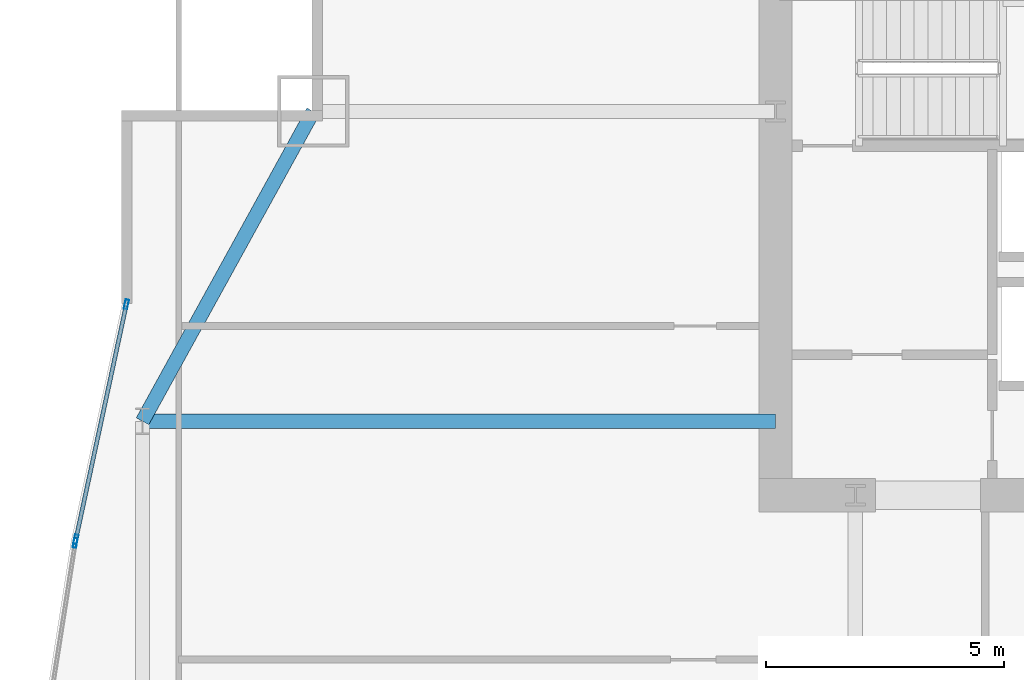
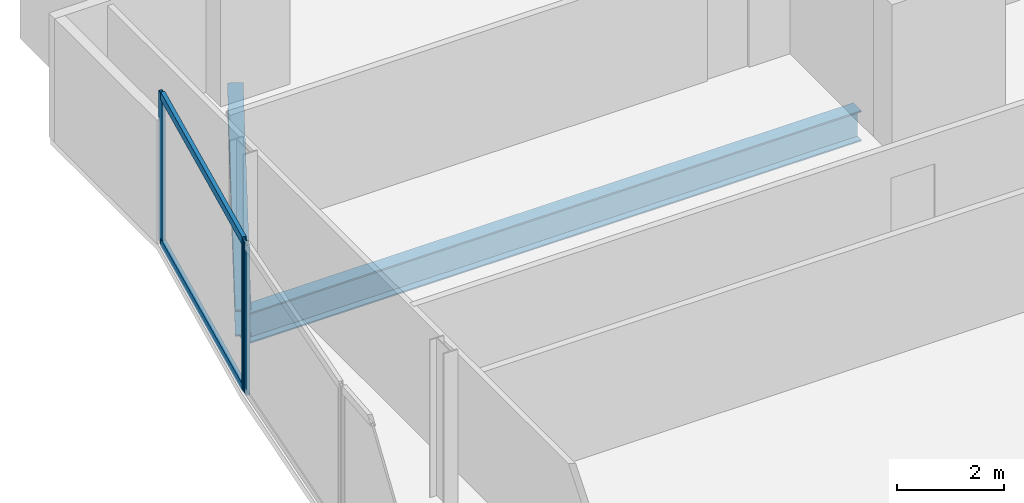
# One storey, part 17 of 32: 5 members, 2 beams, 2 elements without a shape of their own.
"""IFC4 building model written with IfcOpenShell, lengths in metres."""

import ifcopenshell
import ifcopenshell.guid

model = None  # the IFC model being written
_history = None  # IfcOwnerHistory: only IFC2X3 demands one
_inside = {}  # id of a spatial element -> (the spatial element, [elements in it])
_under = {}  # id of a project, library or spatial element -> (it, [spatial elements below it])
_declared = {}  # id of a project -> (the project, [libraries it declares])
_typed = {}  # id of a type object -> (the type object, [elements of that type])
_made_of = {}  # id of a material, layer set ... -> (it, [elements and type objects made of it])


def new_model(schema):
    """Start an empty IFC model of exactly this schema.

    Asked for "IFC4X3", IfcOpenShell would pick the latest addendum, in which some entities
    have other attributes; the version numbers below select the first issue.
    IFC2X3 requires an IfcOwnerHistory on every rooted entity: one is made here for all.
    """
    global model, _history
    if schema == "IFC4X3":
        model = ifcopenshell.file(schema_version=(4, 3, 0, 0))
    else:
        model = ifcopenshell.file(schema=schema)
    _inside.clear()
    _under.clear()
    _declared.clear()
    _typed.clear()
    _made_of.clear()
    _history = None
    if model.schema == "IFC2X3":
        org = make("IfcOrganization", Name="unknown")
        user = make(
            "IfcPersonAndOrganization",
            ThePerson=make("IfcPerson", FamilyName="unknown"),
            TheOrganization=org,
        )
        app = make(
            "IfcApplication",
            ApplicationDeveloper=org,
            Version="unknown",
            ApplicationFullName="unknown",
            ApplicationIdentifier="unknown",
        )
        _history = make(
            "IfcOwnerHistory",
            OwningUser=user,
            OwningApplication=app,
            ChangeAction="ADDED",
            CreationDate=0,
        )
    return model


def make(cls, **values):
    """One entity of the class cls with the attributes given. An attribute that is None is left unset."""
    return model.create_entity(
        cls, **{name: value for name, value in values.items() if value is not None}
    )


def rooted(cls, **values):
    """An entity with a GlobalId (a new one), such as an element, a storey or a relation."""
    return make(cls, GlobalId=ifcopenshell.guid.new(), OwnerHistory=_history, **values)


def si_unit(unit_type, name, prefix=None):
    """IfcSIUnit, for example si_unit("LENGTHUNIT", "METRE", prefix="MILLI")."""
    return make("IfcSIUnit", UnitType=unit_type, Prefix=prefix, Name=name)


def assignment(units):
    """IfcUnitAssignment: the units of a project."""
    return None if units is None else make("IfcUnitAssignment", Units=units)


def point(xyz):
    """IfcCartesianPoint."""
    return None if xyz is None else make("IfcCartesianPoint", Coordinates=xyz)


def direction(xyz):
    """IfcDirection."""
    return None if xyz is None else make("IfcDirection", DirectionRatios=xyz)


def frame(location, z_axis=None, x_axis=None):
    """IfcAxis2Placement3D, a coordinate frame: its origin and axes. An axis left out is left unset."""
    return make(
        "IfcAxis2Placement3D",
        Location=point(location),
        Axis=direction(z_axis),
        RefDirection=direction(x_axis),
    )


def frame_2d(location, x_axis=None):
    """IfcAxis2Placement2D, a coordinate frame in the plane: its origin and x axis."""
    return make(
        "IfcAxis2Placement2D", Location=point(location), RefDirection=direction(x_axis)
    )


def origin():
    """The frame at (0, 0, 0) with its axes left unset."""
    return frame((0.0, 0.0, 0.0))


def origin_2d():
    """The frame at (0, 0) in the plane with its x axis left unset."""
    return frame_2d((0.0, 0.0))


def place(relative_to, where):
    """IfcLocalPlacement: puts the frame where relative to a parent placement (None: the world)."""
    return make(
        "IfcLocalPlacement", PlacementRelTo=relative_to, RelativePlacement=where
    )


def context(
    kind, dimensions, precision=None, world=None, true_north=None, identifier=None
):
    """IfcGeometricRepresentationContext, for example the 3D "Model" context."""
    return make(
        "IfcGeometricRepresentationContext",
        ContextIdentifier=identifier,
        ContextType=kind,
        CoordinateSpaceDimension=dimensions,
        Precision=precision,
        WorldCoordinateSystem=world,
        TrueNorth=true_north,
    )


def subcontext(parent, identifier, kind, view, scale=None):
    """IfcGeometricRepresentationSubContext, for example "Body" below "Model"."""
    return make(
        "IfcGeometricRepresentationSubContext",
        ContextIdentifier=identifier,
        ContextType=kind,
        ParentContext=parent,
        TargetScale=scale,
        TargetView=view,
    )


def project(units=None, contexts=None):
    """IfcProject with its units and contexts."""
    return rooted(
        "IfcProject",
        Name="project",
        RepresentationContexts=contexts,
        UnitsInContext=assignment(units),
    )


def spatial(cls, under=None, at=None, **own):
    """A site, building, storey or space (cls), placed at a placement, below another one or the project."""
    s = rooted(cls, ObjectPlacement=at, **own)
    if under is not None:
        _under.setdefault(under.id(), (under, []))[1].append(s)
    return s


def profile(cls, at=None, kind="AREA", **sizes):
    """A parametric profile (cls). Its sizes go by their IFC names, for example OverallWidth=200.0."""
    return make(cls, ProfileType=kind, Position=at, **sizes)


def hollow_rectangle(**sizes):
    """IfcRectangleHollowProfileDef."""
    return profile("IfcRectangleHollowProfileDef", **sizes)


def i_section(**sizes):
    """IfcIShapeProfileDef."""
    return profile("IfcIShapeProfileDef", **sizes)


def extrude(swept, where, along, depth):
    """IfcExtrudedAreaSolid: the profile swept, set in the frame where, extruded along a direction by depth."""
    return make(
        "IfcExtrudedAreaSolid",
        SweptArea=swept,
        Position=where,
        ExtrudedDirection=direction(along),
        Depth=depth,
    )


def shape(context_of_items, identifier, shape_type, items):
    """IfcShapeRepresentation: the items that make up one representation, for example the "Body"."""
    return make(
        "IfcShapeRepresentation",
        ContextOfItems=context_of_items,
        RepresentationIdentifier=identifier,
        RepresentationType=shape_type,
        Items=items,
    )


def material(Name=None, Category=None):
    """IfcMaterial."""
    return make("IfcMaterial", Name=Name, Category=Category)


def material_profile(
    of_material, cross_section, Name=None, Category=None, Priority=None
):
    """IfcMaterialProfile: a cross section and its material."""
    return make(
        "IfcMaterialProfile",
        Name=Name,
        Material=of_material,
        Profile=cross_section,
        Priority=Priority,
        Category=Category,
    )


def profile_set(profiles, Name=None, composite=None):
    """IfcMaterialProfileSet."""
    return make(
        "IfcMaterialProfileSet",
        Name=Name,
        MaterialProfiles=profiles,
        CompositeProfile=composite,
    )


def made_of(thing, what):
    """Note that an element or type object is made of a material, layer set ...; save() writes the relation."""
    if what is not None:
        _made_of.setdefault(what.id(), (what, []))[1].append(thing)
    return thing


def type_object(cls, material=None, **own):
    """A type object (cls), such as IfcWallType, which elements share."""
    return made_of(rooted(cls, **own), material)


def element(
    cls,
    number,
    at=None,
    inside=None,
    cuts=None,
    type_object=None,
    material=None,
    context=None,
    identifier="Body",
    shape_type=None,
    held_by="IfcProductDefinitionShape",
    body=None,
    shapes=None,
    **own,
):
    """One element of the class cls, such as IfcWall. Its Tag is "e" and its number.

    at: its placement. inside: the storey or other place that contains it. cuts: it is an
    opening in that element (IfcRelVoidsElement). A single representation is given by context,
    identifier, shape_type and body (its items); several are given by shapes. held_by: the class
    of the entity that holds the representations. save() writes the other relations.
    """
    e = rooted(cls, Tag="e%d" % number, ObjectPlacement=at, **own)
    if body is not None:
        shapes = [shape(context, identifier, shape_type, body)]
    if shapes is not None:
        e.Representation = make(held_by, Representations=shapes)
    if inside is not None:
        _inside.setdefault(inside.id(), (inside, []))[1].append(e)
    if cuts is not None:
        rooted(
            "IfcRelVoidsElement", RelatingBuildingElement=cuts, RelatedOpeningElement=e
        )
    if type_object is not None:
        _typed.setdefault(type_object.id(), (type_object, []))[1].append(e)
    return made_of(e, material)


def aggregate(whole, parts):
    """IfcRelAggregates: a whole, such as a stair, and the parts it consists of."""
    return rooted("IfcRelAggregates", RelatingObject=whole, RelatedObjects=parts)


def save(model, path):
    """Write the relations noted so far, then the file.

    IfcRelAggregates (storeys below a building ...), IfcRelContainedInSpatialStructure (elements
    in a storey), IfcRelDefinesByType, IfcRelAssociatesMaterial and IfcRelDeclares: one each for
    every whole, place, type object, material and project.
    """
    for whole, parts in _under.values():
        aggregate(whole, parts)
    for where, things in _inside.values():
        rooted(
            "IfcRelContainedInSpatialStructure",
            RelatedElements=things,
            RelatingStructure=where,
        )
    for kind, things in _typed.values():
        rooted("IfcRelDefinesByType", RelatedObjects=things, RelatingType=kind)
    for what, things in _made_of.values():
        rooted("IfcRelAssociatesMaterial", RelatedObjects=things, RelatingMaterial=what)
    for by, libraries in _declared.values():
        rooted("IfcRelDeclares", RelatingContext=by, RelatedDefinitions=libraries)
    model.write(path)


model = new_model("IFC4")

# Units and contexts
model_context = context("Model", 3, precision=1e-05, world=origin(), true_north=direction((0.0, 1.0)))
body_context = subcontext(model_context, "Body", "Model", "MODEL_VIEW")
ifc_project = project(units=[si_unit("LENGTHUNIT", "METRE"), si_unit("AREAUNIT", "SQUARE_METRE"), si_unit("VOLUMEUNIT", "CUBIC_METRE"), si_unit("PLANEANGLEUNIT", "RADIAN"), si_unit("MASSUNIT", "GRAM", prefix="KILO")], contexts=[model_context])

# Site, building, storey
site_placement = place(None, origin())
site = spatial("IfcSite", under=ifc_project, at=site_placement, CompositionType="ELEMENT")
building_placement = place(site_placement, origin())
building = spatial("IfcBuilding", under=site, at=building_placement, Name="Khoronbel Lancet Exchange", CompositionType="ELEMENT")
storey_placement = place(building_placement, frame((0.0, 0.0, 111.0)))
storey = spatial("IfcBuildingStorey", under=building, at=storey_placement, Name="L26", CompositionType="ELEMENT", Elevation=111.0)

# Beams
ifc_material_1 = material(Name="Steel S355", Category="steel")
ifc_material_profile_1 = material_profile(ifc_material_1, i_section(OverallWidth=0.300048828125, OverallDepth=0.699951171875, WebThickness=0.01708984375, FlangeThickness=0.031982421875, at=origin_2d()), Name="HEB 700")
ifc_profile_set_1 = profile_set([ifc_material_profile_1], Name="Steel S355")
beam_type_1 = type_object("IfcBeamType", Name="BM-BG3", PredefinedType="BEAM", material=ifc_profile_set_1)
beam_1_placement = place(storey_placement, frame((3.27001953125, 43.199951171875, -0.510009765625), z_axis=(1.0, 0.0, 0.0), x_axis=(0.0, 1.0, 0.0)))
element("IfcBeam", 1, at=beam_1_placement, inside=storey, type_object=beam_type_1, Name="Level L26 west lens tie girder LG3W", PredefinedType="BEAM", context=body_context, shape_type="SweptSolid", body=[
    extrude(i_section(OverallWidth=0.300048828125, OverallDepth=0.699951171875, WebThickness=0.01708984375, FlangeThickness=0.031982421875, at=origin_2d()), origin(), (0.0, 0.0, 1.0), 13.280029296875),
])
ifc_material_profile_2 = material_profile(ifc_material_1, i_section(OverallWidth=0.300048828125, OverallDepth=0.60009765625, WebThickness=0.015380859375, FlangeThickness=0.030029296875, at=origin_2d()), Name="HEB 600")
ifc_profile_set_2 = profile_set([ifc_material_profile_2], Name="Steel S355")
beam_type_2 = type_object("IfcBeamType", Name="BM-BSP2", PredefinedType="SPANDREL", material=ifc_profile_set_2)
beam_2_placement = place(storey_placement, frame((6.85009765625, 49.699951171875, -0.4599609375), z_axis=(-0.482444051088, -0.875926787791, 0.0), x_axis=(0.875926787791, -0.482444051088, 0.0)))
element("IfcBeam", 2, at=beam_2_placement, inside=storey, type_object=beam_type_2, Name="Level L26 perimeter spandrel beam SP16", PredefinedType="SPANDREL", context=body_context, shape_type="SweptSolid", body=[
    extrude(i_section(OverallWidth=0.300048828125, OverallDepth=0.60009765625, WebThickness=0.015380859375, FlangeThickness=0.030029296875, at=origin_2d()), origin(), (0.0, 0.0, 1.0), 7.420654296875),
])

# Curtain wall, member
ifc_material_2 = material(Name="Low-E Solar Control Insulating Glass", Category="glass")
curtain_wall_type = type_object("IfcCurtainWallType", Name="CW-4", PredefinedType="NOTDEFINED", material=ifc_material_2)
curtain_wall_1_placement = place(storey_placement, origin())
curtain_wall_1 = element("IfcCurtainWall", 3, at=curtain_wall_1_placement, inside=storey, type_object=curtain_wall_type, Name="Unitised curtain wall CW-L26-E08", PredefinedType="NOTDEFINED")
ifc_material_3 = material(Name="Bronze-Anodised Aluminium 6063-T6", Category="aluminium")
ifc_material_profile_3 = material_profile(ifc_material_3, hollow_rectangle(XDim=0.074951171875, YDim=0.199951171875, WallThickness=0.0048828125, at=origin_2d()), Name="ALU MULLION 75x200")
ifc_profile_set_3 = profile_set([ifc_material_profile_3], Name="Bronze-Anodised Aluminium 6063-T6")
member_type_1 = type_object("IfcMemberType", Name="MEM-CWM2", PredefinedType="MULLION", material=ifc_profile_set_3)
member_1_placement = place(storey_placement, frame((1.857666015625, 40.646484375, 0.0), z_axis=(0.0, 0.0, 1.0), x_axis=(-0.987838563117, 0.155483031933, 0.0)))
member_1 = element("IfcMember", 4, at=member_1_placement, type_object=member_type_1, Name="CW4 mullion 2", PredefinedType="MULLION", context=body_context, shape_type="SweptSolid", body=[
    extrude(hollow_rectangle(XDim=0.074951171875, YDim=0.199951171875, WallThickness=0.0048828125, at=origin_2d()), origin(), (0.0, 0.0, 1.0), 3.43994140625),
])
aggregate(curtain_wall_1, [member_1])

# Curtain wall, members
curtain_wall_2_placement = place(storey_placement, origin())
curtain_wall_2 = element("IfcCurtainWall", 5, at=curtain_wall_2_placement, inside=storey, type_object=curtain_wall_type, Name="Unitised curtain wall CW-L26-E09", PredefinedType="NOTDEFINED")
member_2_placement = place(storey_placement, frame((1.871337890625, 40.72021484375, 0.0), z_axis=(0.0, 0.0, 1.0), x_axis=(-0.977658451967, 0.210199789006, 0.0)))
member_2 = element("IfcMember", 6, at=member_2_placement, type_object=member_type_1, Name="CW4 mullion 1", PredefinedType="MULLION", context=body_context, shape_type="SweptSolid", body=[
    extrude(hollow_rectangle(XDim=0.074951171875, YDim=0.199951171875, WallThickness=0.0048828125, at=origin_2d()), origin(), (0.0, 0.0, 1.0), 3.43994140625),
])
member_3_placement = place(storey_placement, frame((2.93212890625, 45.65380859375, 0.0), z_axis=(0.0, 0.0, 1.0), x_axis=(-0.977658451967, 0.210199789006, 0.0)))
member_3 = element("IfcMember", 7, at=member_3_placement, type_object=member_type_1, Name="CW4 mullion 2", PredefinedType="MULLION", context=body_context, shape_type="SweptSolid", body=[
    extrude(hollow_rectangle(XDim=0.074951171875, YDim=0.199951171875, WallThickness=0.0048828125, at=origin_2d()), origin(), (0.0, 0.0, 1.0), 3.43994140625),
])
ifc_material_profile_4 = material_profile(ifc_material_3, hollow_rectangle(XDim=0.0849609375, YDim=0.179931640625, WallThickness=0.0048828125, at=origin_2d()), Name="ALU TRANSOM 85x180")
ifc_profile_set_4 = profile_set([ifc_material_profile_4], Name="Bronze-Anodised Aluminium 6063-T6")
member_type_2 = type_object("IfcMemberType", Name="MEM-CWT1", PredefinedType="USERDEFINED", material=ifc_profile_set_4)
member_4_placement = place(storey_placement, frame((1.879150390625, 40.7568359375, 0.04248046875), z_axis=(0.210233321576, 0.977651241752, 0.0), x_axis=(-0.977651241752, 0.210233321576, 0.0)))
member_4 = element("IfcMember", 8, at=member_4_placement, type_object=member_type_2, Name="CW4 transom 1.1", ObjectType="TRANSOM", PredefinedType="USERDEFINED", context=body_context, shape_type="SweptSolid", body=[
    extrude(hollow_rectangle(XDim=0.0849609375, YDim=0.179931640625, WallThickness=0.0048828125, at=origin_2d()), origin(), (0.0, 0.0, 1.0), 4.971435546875),
])
member_5_placement = place(storey_placement, frame((1.879150390625, 40.7568359375, 3.3974609375), z_axis=(0.210233321576, 0.977651241752, 0.0), x_axis=(-0.977651241752, 0.210233321576, 0.0)))
member_5 = element("IfcMember", 9, at=member_5_placement, type_object=member_type_2, Name="CW4 transom 1.2", ObjectType="TRANSOM", PredefinedType="USERDEFINED", context=body_context, shape_type="SweptSolid", body=[
    extrude(hollow_rectangle(XDim=0.0849609375, YDim=0.179931640625, WallThickness=0.0048828125, at=origin_2d()), origin(), (0.0, 0.0, 1.0), 4.971435546875),
])
aggregate(curtain_wall_2, [member_2, member_3, member_4, member_5])

save(model, "model.ifc")
